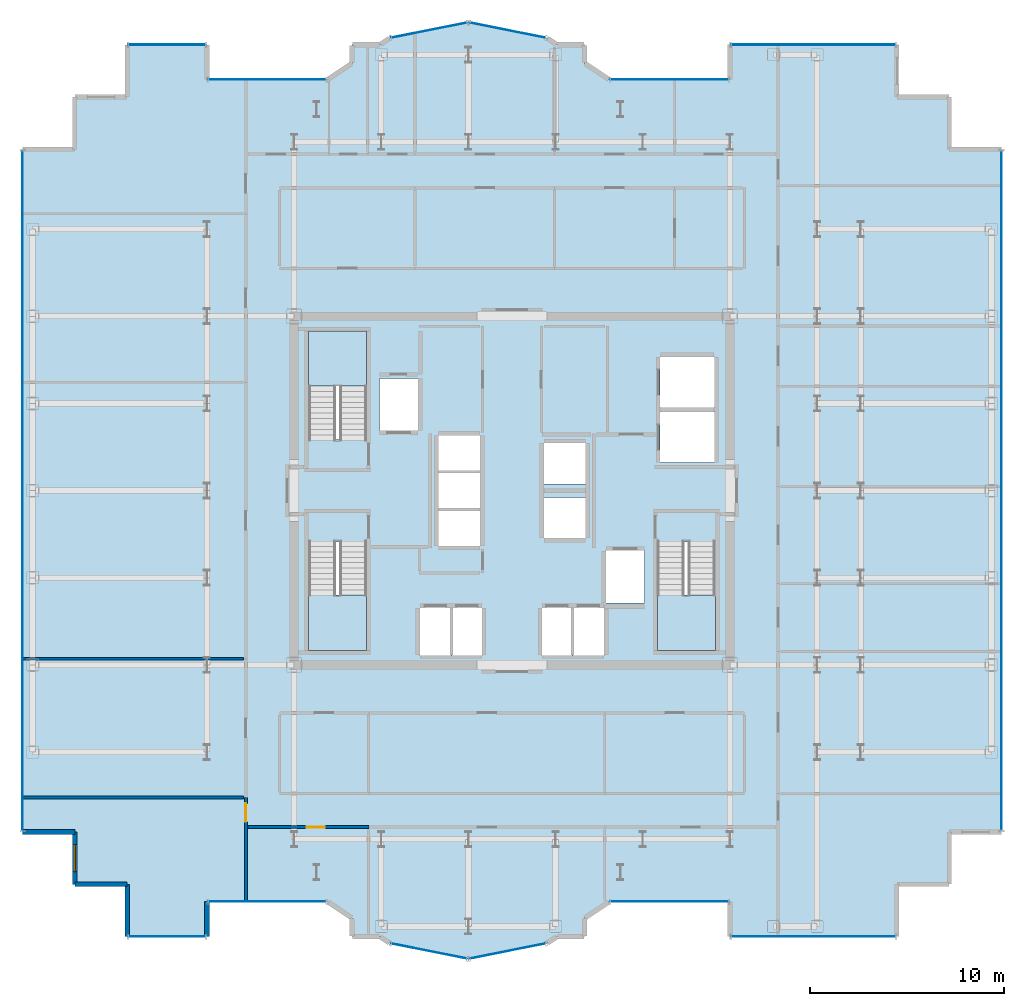
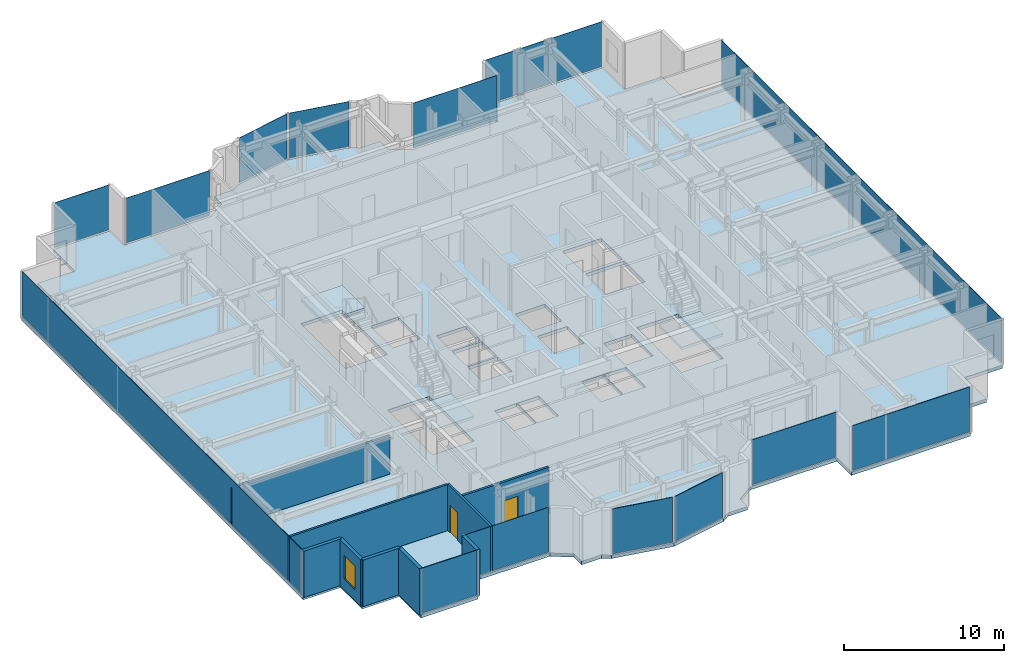
# One storey, part 13 of 20: 14 plates, 9 walls, 4 slabs, 2 doors, 1 window, 3 openings, 17 elements without a shape of their own.
"""IFC4 building model written with IfcOpenShell, lengths in metres."""

from ifc_helpers import new_model, si_unit, direction, frame, frame_2d, origin, origin_2d, place, context, subcontext, project, spatial, polyline, rectangle, outline, extrude, source, transform, mapped, material, layer, layer_set, type_object, element, fill, aggregate, save


model = new_model("IFC4")

# Units and contexts
model_context = context("Model", 3, precision=1e-05, world=origin(), true_north=direction((0.0, 1.0)))
body_context = subcontext(model_context, "Body", "Model", "MODEL_VIEW")
ifc_project = project(units=[si_unit("LENGTHUNIT", "METRE"), si_unit("AREAUNIT", "SQUARE_METRE"), si_unit("VOLUMEUNIT", "CUBIC_METRE"), si_unit("PLANEANGLEUNIT", "RADIAN"), si_unit("MASSUNIT", "GRAM", prefix="KILO")], contexts=[model_context])

# Site, building, storey
site_placement = place(None, origin())
site = spatial("IfcSite", under=ifc_project, at=site_placement, CompositionType="ELEMENT")
building_placement = place(site_placement, origin())
building = spatial("IfcBuilding", under=site, at=building_placement, Name="Nefas-Gora Pilgrimage Tower", CompositionType="ELEMENT")
storey_placement = place(building_placement, frame((0.0, 0.0, 244.60009765625)))
storey = spatial("IfcBuildingStorey", under=building, at=storey_placement, Name="L61", CompositionType="ELEMENT", Elevation=244.60009765625)

# Slab
ifc_material_1 = material(Name="Concrete C40/50", Category="concrete")
ifc_layer_1 = layer(ifc_material_1, 0.25)
ifc_layer_set_1 = layer_set([ifc_layer_1], Name="Concrete C40/50")
slab_type_1 = type_object("IfcSlabType", Name="SLB-TWR-260", PredefinedType="FLOOR", material=ifc_layer_set_1)
slab_1_placement = place(storey_placement, frame((0.0, 0.0, -0.25)))
element("IfcSlab", 1, at=slab_1_placement, inside=storey, type_object=slab_type_1, Name="L61 Structural Floor Slab", PredefinedType="FLOOR", context=body_context, shape_type="SweptSolid", body=[
    extrude(outline(polyline([(5.01806640625, -21.219970703125), (11.25, -21.219970703125), (11.25, -23.02001953125), (19.8701171875, -23.02001953125), (19.8701171875, -20.320068359375), (22.570068359375, -20.320068359375), (22.570068359375, -17.6201171875), (25.27001953125, -17.6201171875), (25.27001953125, 17.6201171875), (22.570068359375, 17.6201171875), (22.570068359375, 20.320068359375), (19.8701171875, 20.320068359375), (19.8701171875, 23.02001953125), (11.25, 23.02001953125), (11.25, 21.219970703125), (5.01806640625, 21.219970703125), (3.75, 22.0673828125), (3.75, 23.02001953125), (2.32421875, 23.02001953125), (1.807373046875, 23.365234375), (-2.25, 24.17236328125), (-6.307373046875, 23.365234375), (-6.82421875, 23.02001953125), (-8.25, 23.02001953125), (-8.25, 22.0673828125), (-9.51806640625, 21.219970703125), (-15.75, 21.219970703125), (-15.75, 23.02001953125), (-19.8701171875, 23.02001953125), (-19.8701171875, 20.320068359375), (-22.570068359375, 20.320068359375), (-22.570068359375, 17.6201171875), (-25.27001953125, 17.6201171875), (-25.27001953125, -17.6201171875), (-22.570068359375, -17.6201171875), (-22.570068359375, -20.320068359375), (-19.8701171875, -20.320068359375), (-19.8701171875, -23.02001953125), (-15.75, -23.02001953125), (-15.75, -21.219970703125), (-9.51806640625, -21.219970703125), (-8.25, -22.0673828125), (-8.25, -23.02001953125), (-6.82421875, -23.02001953125), (-6.307373046875, -23.365234375), (-2.25, -24.17236328125), (1.807373046875, -23.365234375), (2.32421875, -23.02001953125), (3.75, -23.02001953125), (3.75, -22.0673828125), (5.01806640625, -21.219970703125)]), holes=[polyline([(-10.5, 2.639892578125), (-10.5, 8.25), (-7.5, 8.25), (-7.5, 2.639892578125), (-10.5, 2.639892578125)]), polyline([(10.5, -2.639892578125), (10.5, -8.25), (7.5, -8.25), (7.5, -2.639892578125), (10.5, -2.639892578125)]), polyline([(-7.5, -2.639892578125), (-7.5, -8.25), (-10.5, -8.25), (-10.5, -2.639892578125), (-7.5, -2.639892578125)]), polyline([(-6.85009765625, 5.800048828125), (-4.85009765625, 5.800048828125), (-4.85009765625, 3.10009765625), (-6.85009765625, 3.10009765625), (-6.85009765625, 5.800048828125)]), polyline([(4.85009765625, -3.10009765625), (6.85009765625, -3.10009765625), (6.85009765625, -5.800048828125), (4.85009765625, -5.800048828125), (4.85009765625, -3.10009765625)]), polyline([(7.64990234375, 4.050048828125), (10.449951171875, 4.050048828125), (10.449951171875, 1.449951171875), (7.64990234375, 1.449951171875), (7.64990234375, 4.050048828125)]), polyline([(7.64990234375, 6.89990234375), (10.449951171875, 6.89990234375), (10.449951171875, 4.300048828125), (7.64990234375, 4.300048828125), (7.64990234375, 6.89990234375)]), polyline([(-4.75, -6.050048828125), (-3.14990234375, -6.050048828125), (-3.14990234375, -8.5), (-4.75, -8.5), (-4.75, -6.050048828125)]), polyline([(-3.10009765625, -6.050048828125), (-1.550048828125, -6.050048828125), (-1.550048828125, -8.5), (-3.10009765625, -8.5), (-3.10009765625, -6.050048828125)]), polyline([(1.550048828125, -6.050048828125), (3.10009765625, -6.050048828125), (3.10009765625, -8.5), (1.550048828125, -8.5), (1.550048828125, -6.050048828125)]), polyline([(3.14990234375, -6.050048828125), (4.75, -6.050048828125), (4.75, -8.5), (3.14990234375, -8.5), (3.14990234375, -6.050048828125)]), polyline([(-3.800048828125, -1.050048828125), (-1.64990234375, -1.050048828125), (-1.64990234375, -2.85009765625), (-3.800048828125, -2.85009765625), (-3.800048828125, -1.050048828125)]), polyline([(-3.800048828125, 0.89990234375), (-1.64990234375, 0.89990234375), (-1.64990234375, -0.89990234375), (-3.800048828125, -0.89990234375), (-3.800048828125, 0.89990234375)]), polyline([(-3.800048828125, 2.85009765625), (-1.64990234375, 2.85009765625), (-1.64990234375, 1.050048828125), (-3.800048828125, 1.050048828125), (-3.800048828125, 2.85009765625)]), polyline([(1.64990234375, -0.35009765625), (3.800048828125, -0.35009765625), (3.800048828125, -2.449951171875), (1.64990234375, -2.449951171875), (1.64990234375, -0.35009765625)]), polyline([(1.64990234375, 2.449951171875), (3.800048828125, 2.449951171875), (3.800048828125, 0.35009765625), (1.64990234375, 0.35009765625), (1.64990234375, 2.449951171875)])]), origin(), (0.0, 0.0, 1.0), 0.25),
])

# Stair, slab
ifc_material_2 = material(Name="Concrete C45/55", Category="concrete")
stair_type = type_object("IfcStairType", Name="STR-1400-R1727", PredefinedType="HALF_TURN_STAIR", material=ifc_material_2)
stair_1_placement = place(storey_placement, origin())
stair_1 = element("IfcStair", 2, at=stair_1_placement, inside=storey, type_object=stair_type, Name="L61 Pressurised Tower Exit Stair ST-01", PredefinedType="HALF_TURN_STAIR")
ifc_layer_2 = layer(ifc_material_1, 0.199951171875)
ifc_layer_set_2 = layer_set([ifc_layer_2], Name="Concrete C40/50")
slab_type_2 = type_object("IfcSlabType", Name="STR-LAND-200", PredefinedType="LANDING", material=ifc_layer_set_2)
slab_2_placement = place(storey_placement, frame((0.0, 0.0, 1.699951171875)))
slab_2 = element("IfcSlab", 3, at=slab_2_placement, type_object=slab_type_2, Name="ST-01 landing 1", PredefinedType="LANDING", context=body_context, shape_type="SweptSolid", body=[
    extrude(outline(polyline([(-7.5, 5.39990234375), (-7.5, 8.25), (-10.5, 8.25), (-10.5, 5.39990234375), (-7.5, 5.39990234375)])), origin(), (0.0, 0.0, 1.0), 0.199951171875),
])
aggregate(stair_1, [slab_2])

stair_2_placement = place(storey_placement, origin())
stair_2 = element("IfcStair", 4, at=stair_2_placement, inside=storey, type_object=stair_type, Name="L61 Pressurised Tower Exit Stair ST-02", PredefinedType="HALF_TURN_STAIR")
slab_3_placement = place(storey_placement, frame((0.0, 0.0, 1.699951171875)))
slab_3 = element("IfcSlab", 5, at=slab_3_placement, type_object=slab_type_2, Name="ST-02 landing 1", PredefinedType="LANDING", context=body_context, shape_type="SweptSolid", body=[
    extrude(outline(polyline([(7.5, -5.39990234375), (7.5, -8.25), (10.5, -8.25), (10.5, -5.39990234375), (7.5, -5.39990234375)])), origin(), (0.0, 0.0, 1.0), 0.199951171875),
])
aggregate(stair_2, [slab_3])

stair_3_placement = place(storey_placement, origin())
stair_3 = element("IfcStair", 6, at=stair_3_placement, inside=storey, type_object=stair_type, Name="L61 Pressurised Tower Exit Stair ST-03", PredefinedType="HALF_TURN_STAIR")
slab_4_placement = place(storey_placement, frame((0.0, 0.0, 1.699951171875)))
slab_4 = element("IfcSlab", 7, at=slab_4_placement, type_object=slab_type_2, Name="ST-03 landing 1", PredefinedType="LANDING", context=body_context, shape_type="SweptSolid", body=[
    extrude(outline(polyline([(-10.5, -5.39990234375), (-10.5, -8.25), (-7.5, -8.25), (-7.5, -5.39990234375), (-10.5, -5.39990234375)])), origin(), (0.0, 0.0, 1.0), 0.199951171875),
])
aggregate(stair_3, [slab_4])

# Curtain wall, plate
ifc_material_3 = material(Name="Dark ceramic-fritted solar-control aluminium-glass curtain wall", Category="aluminium")
ifc_layer_3 = layer(ifc_material_3, 0.219970703125)
ifc_layer_set_3 = layer_set([ifc_layer_3], Name="Dark ceramic-fritted solar-control aluminium-glass curtain wall")
curtain_wall_type_1 = type_object("IfcCurtainWallType", Name="CW-SYS-5", PredefinedType="NOTDEFINED", material=ifc_layer_set_3)
curtain_wall_1_placement = place(storey_placement, origin())
curtain_wall_1 = element("IfcCurtainWall", 8, at=curtain_wall_1_placement, inside=storey, type_object=curtain_wall_type_1, Name="L61 Unitised Curtain Wall CW5", PredefinedType="NOTDEFINED")
ifc_material_4 = material(Name="Dark ceramic-printed low-e insulated glass", Category="glass")
ifc_layer_4 = layer(ifc_material_4, 0.028076171875)
ifc_layer_set_4 = layer_set([ifc_layer_4], Name="Dark ceramic-printed low-e insulated glass")
plate_type_1 = type_object("IfcPlateType", Name="CWP-PNL-5", PredefinedType="CURTAIN_PANEL", material=ifc_layer_set_4)
shared_shape_1 = source(origin(), body_context, "Body", "SweptSolid", [
    extrude(rectangle(XDim=6.052001953125, YDim=0.028076171875, at=origin_2d()), origin(), (0.0, 0.0, 1.0), 3.43994140625),
])
plate_1_placement = place(storey_placement, frame((8.134033203125, -21.219970703125, 0.099853515625), z_axis=(0.0, 0.0, 1.0), x_axis=(1.0, 0.0, 0.0)))
plate_1 = element("IfcPlate", 9, at=plate_1_placement, type_object=plate_type_1, Name="CW5 Ceramic-Fritted Glazing Panel 1", PredefinedType="CURTAIN_PANEL", context=body_context, shape_type="MappedRepresentation", body=[
    mapped(shared_shape_1, transform((0.0, 0.0, 0.0), x_axis=(1.0, 0.0, 0.0), y_axis=(0.0, 1.0, 0.0), z_axis=(0.0, 0.0, 1.0), scale=1.0)),
])
aggregate(curtain_wall_1, [plate_1])

curtain_wall_2_placement = place(storey_placement, origin())
curtain_wall_2 = element("IfcCurtainWall", 10, at=curtain_wall_2_placement, inside=storey, type_object=curtain_wall_type_1, Name="L61 Unitised Curtain Wall CW5", PredefinedType="NOTDEFINED")
plate_2_placement = place(storey_placement, frame((8.134033203125, 21.219970703125, 0.099853515625), z_axis=(0.0, 0.0, 1.0), x_axis=(-1.0, 0.0, 0.0)))
plate_2 = element("IfcPlate", 11, at=plate_2_placement, type_object=plate_type_1, Name="CW5 Ceramic-Fritted Glazing Panel 1", PredefinedType="CURTAIN_PANEL", context=body_context, shape_type="MappedRepresentation", body=[
    mapped(shared_shape_1, transform((0.0, 0.0, 0.0), x_axis=(1.0, 0.0, 0.0), y_axis=(0.0, 1.0, 0.0), z_axis=(0.0, 0.0, 1.0), scale=1.0)),
])
aggregate(curtain_wall_2, [plate_2])

curtain_wall_3_placement = place(storey_placement, origin())
curtain_wall_3 = element("IfcCurtainWall", 12, at=curtain_wall_3_placement, inside=storey, type_object=curtain_wall_type_1, Name="L61 Unitised Curtain Wall CW5", PredefinedType="NOTDEFINED")
plate_3_placement = place(storey_placement, frame((-12.634033203125, 21.219970703125, 0.099853515625), z_axis=(0.0, 0.0, 1.0), x_axis=(-1.0, 0.0, 0.0)))
plate_3 = element("IfcPlate", 13, at=plate_3_placement, type_object=plate_type_1, Name="CW5 Ceramic-Fritted Glazing Panel 1", PredefinedType="CURTAIN_PANEL", context=body_context, shape_type="MappedRepresentation", body=[
    mapped(shared_shape_1, transform((0.0, 0.0, 0.0), x_axis=(1.0, 0.0, 0.0), y_axis=(0.0, 1.0, 0.0), z_axis=(0.0, 0.0, 1.0), scale=1.0)),
])
aggregate(curtain_wall_3, [plate_3])

curtain_wall_4_placement = place(storey_placement, origin())
curtain_wall_4 = element("IfcCurtainWall", 14, at=curtain_wall_4_placement, inside=storey, type_object=curtain_wall_type_1, Name="L61 Unitised Curtain Wall CW5", PredefinedType="NOTDEFINED")
plate_4_placement = place(storey_placement, frame((-12.634033203125, -21.219970703125, 0.099853515625), z_axis=(0.0, 0.0, 1.0), x_axis=(1.0, 0.0, 0.0)))
plate_4 = element("IfcPlate", 15, at=plate_4_placement, type_object=plate_type_1, Name="CW5 Ceramic-Fritted Glazing Panel 1", PredefinedType="CURTAIN_PANEL", context=body_context, shape_type="MappedRepresentation", body=[
    mapped(shared_shape_1, transform((0.0, 0.0, 0.0), x_axis=(1.0, 0.0, 0.0), y_axis=(0.0, 1.0, 0.0), z_axis=(0.0, 0.0, 1.0), scale=1.0)),
])
aggregate(curtain_wall_4, [plate_4])

curtain_wall_5_placement = place(storey_placement, origin())
curtain_wall_5 = element("IfcCurtainWall", 16, at=curtain_wall_5_placement, inside=storey, type_object=curtain_wall_type_1, Name="L61 Unitised Curtain Wall CW5", PredefinedType="NOTDEFINED")
shared_shape_2 = source(origin(), body_context, "Body", "SweptSolid", [
    extrude(rectangle(XDim=3.956787109375, YDim=0.028076171875, at=origin_2d()), origin(), (0.0, 0.0, 1.0), 3.43994140625),
])
plate_5_placement = place(storey_placement, frame((-0.22119140625, 23.768798828125, 0.099853515625), z_axis=(0.0, 0.0, 1.0), x_axis=(-0.980782896852, 0.195102304554, 0.0)))
plate_5 = element("IfcPlate", 17, at=plate_5_placement, type_object=plate_type_1, Name="CW5 Ceramic-Fritted Glazing Panel 1", PredefinedType="CURTAIN_PANEL", context=body_context, shape_type="MappedRepresentation", body=[
    mapped(shared_shape_2, transform((0.0, 0.0, 0.0), x_axis=(1.0, 0.0, 0.0), y_axis=(0.0, 1.0, 0.0), z_axis=(0.0, 0.0, 1.0), scale=1.0)),
])
aggregate(curtain_wall_5, [plate_5])

curtain_wall_6_placement = place(storey_placement, origin())
curtain_wall_6 = element("IfcCurtainWall", 18, at=curtain_wall_6_placement, inside=storey, type_object=curtain_wall_type_1, Name="L61 Unitised Curtain Wall CW5", PredefinedType="NOTDEFINED")
plate_6_placement = place(storey_placement, frame((-4.278564453125, 23.768798828125, 0.099853515625), z_axis=(0.0, 0.0, 1.0), x_axis=(-0.980782896852, -0.195102304554, 0.0)))
plate_6 = element("IfcPlate", 19, at=plate_6_placement, type_object=plate_type_1, Name="CW5 Ceramic-Fritted Glazing Panel 1", PredefinedType="CURTAIN_PANEL", context=body_context, shape_type="MappedRepresentation", body=[
    mapped(shared_shape_2, transform((0.0, 0.0, 0.0), x_axis=(1.0, 0.0, 0.0), y_axis=(0.0, 1.0, 0.0), z_axis=(0.0, 0.0, 1.0), scale=1.0)),
])
aggregate(curtain_wall_6, [plate_6])

curtain_wall_7_placement = place(storey_placement, origin())
curtain_wall_7 = element("IfcCurtainWall", 20, at=curtain_wall_7_placement, inside=storey, type_object=curtain_wall_type_1, Name="L61 Unitised Curtain Wall CW5", PredefinedType="NOTDEFINED")
plate_7_placement = place(storey_placement, frame((-4.278564453125, -23.768798828125, 0.099853515625), z_axis=(0.0, 0.0, 1.0), x_axis=(0.980782896852, -0.195102304554, 0.0)))
plate_7 = element("IfcPlate", 21, at=plate_7_placement, type_object=plate_type_1, Name="CW5 Ceramic-Fritted Glazing Panel 1", PredefinedType="CURTAIN_PANEL", context=body_context, shape_type="MappedRepresentation", body=[
    mapped(shared_shape_2, transform((0.0, 0.0, 0.0), x_axis=(1.0, 0.0, 0.0), y_axis=(0.0, 1.0, 0.0), z_axis=(0.0, 0.0, 1.0), scale=1.0)),
])
aggregate(curtain_wall_7, [plate_7])

curtain_wall_8_placement = place(storey_placement, origin())
curtain_wall_8 = element("IfcCurtainWall", 22, at=curtain_wall_8_placement, inside=storey, type_object=curtain_wall_type_1, Name="L61 Unitised Curtain Wall CW5", PredefinedType="NOTDEFINED")
plate_8_placement = place(storey_placement, frame((-0.221435546875, -23.768798828125, 0.099853515625), z_axis=(0.0, 0.0, 1.0), x_axis=(0.980782896852, 0.195102304554, 0.0)))
plate_8 = element("IfcPlate", 23, at=plate_8_placement, type_object=plate_type_1, Name="CW5 Ceramic-Fritted Glazing Panel 1", PredefinedType="CURTAIN_PANEL", context=body_context, shape_type="MappedRepresentation", body=[
    mapped(shared_shape_2, transform((0.0, 0.0, 0.0), x_axis=(1.0, 0.0, 0.0), y_axis=(0.0, 1.0, 0.0), z_axis=(0.0, 0.0, 1.0), scale=1.0)),
])
aggregate(curtain_wall_8, [plate_8])

ifc_layer_5 = layer(ifc_material_3, 0.219970703125)
ifc_layer_set_5 = layer_set([ifc_layer_5], Name="Dark ceramic-fritted solar-control aluminium-glass curtain wall")
curtain_wall_type_2 = type_object("IfcCurtainWallType", Name="CW-SYS-3", PredefinedType="NOTDEFINED", material=ifc_layer_set_5)
curtain_wall_9_placement = place(storey_placement, origin())
curtain_wall_9 = element("IfcCurtainWall", 24, at=curtain_wall_9_placement, inside=storey, type_object=curtain_wall_type_2, Name="L61 Unitised Curtain Wall CW3", PredefinedType="NOTDEFINED")
ifc_layer_6 = layer(ifc_material_4, 0.033935546875)
ifc_layer_set_6 = layer_set([ifc_layer_6], Name="Dark ceramic-printed low-e insulated glass")
plate_type_2 = type_object("IfcPlateType", Name="CWP-PNL-3", PredefinedType="CURTAIN_PANEL", material=ifc_layer_set_6)
shared_shape_3 = source(origin(), body_context, "Body", "SweptSolid", [
    extrude(rectangle(XDim=8.43994140625, YDim=0.033935546875, at=origin_2d()), origin(), (0.0, 0.0, 1.0), 3.43994140625),
])
plate_9_placement = place(storey_placement, frame((15.56005859375, -23.02001953125, 0.099853515625), z_axis=(0.0, 0.0, 1.0), x_axis=(1.0, 0.0, 0.0)))
plate_9 = element("IfcPlate", 25, at=plate_9_placement, type_object=plate_type_2, Name="CW3 Ceramic-Fritted Glazing Panel 1", PredefinedType="CURTAIN_PANEL", context=body_context, shape_type="MappedRepresentation", body=[
    mapped(shared_shape_3, transform((0.0, 0.0, 0.0), x_axis=(1.0, 0.0, 0.0), y_axis=(0.0, 1.0, 0.0), z_axis=(0.0, 0.0, 1.0), scale=1.0)),
])
aggregate(curtain_wall_9, [plate_9])

curtain_wall_10_placement = place(storey_placement, origin())
curtain_wall_10 = element("IfcCurtainWall", 26, at=curtain_wall_10_placement, inside=storey, type_object=curtain_wall_type_2, Name="L61 Unitised Curtain Wall CW3", PredefinedType="NOTDEFINED")
plate_10_placement = place(storey_placement, frame((15.56005859375, 23.02001953125, 0.099853515625), z_axis=(0.0, 0.0, 1.0), x_axis=(-1.0, 0.0, 0.0)))
plate_10 = element("IfcPlate", 27, at=plate_10_placement, type_object=plate_type_2, Name="CW3 Ceramic-Fritted Glazing Panel 1", PredefinedType="CURTAIN_PANEL", context=body_context, shape_type="MappedRepresentation", body=[
    mapped(shared_shape_3, transform((0.0, 0.0, 0.0), x_axis=(1.0, 0.0, 0.0), y_axis=(0.0, 1.0, 0.0), z_axis=(0.0, 0.0, 1.0), scale=1.0)),
])
aggregate(curtain_wall_10, [plate_10])

curtain_wall_11_placement = place(storey_placement, origin())
curtain_wall_11 = element("IfcCurtainWall", 28, at=curtain_wall_11_placement, inside=storey, type_object=curtain_wall_type_2, Name="L61 Unitised Curtain Wall CW3", PredefinedType="NOTDEFINED")
shared_shape_4 = source(origin(), body_context, "Body", "SweptSolid", [
    extrude(rectangle(XDim=35.06005859375, YDim=0.033935546875, at=origin_2d()), origin(), (0.0, 0.0, 1.0), 3.43994140625),
])
plate_11_placement = place(storey_placement, frame((25.27001953125, 0.0, 0.099853515625), z_axis=(0.0, 0.0, 1.0), x_axis=(0.0, 1.0, 0.0)))
plate_11 = element("IfcPlate", 29, at=plate_11_placement, type_object=plate_type_2, Name="CW3 Ceramic-Fritted Glazing Panel 1", PredefinedType="CURTAIN_PANEL", context=body_context, shape_type="MappedRepresentation", body=[
    mapped(shared_shape_4, transform((0.0, 0.0, 0.0), x_axis=(1.0, 0.0, 0.0), y_axis=(0.0, 1.0, 0.0), z_axis=(0.0, 0.0, 1.0), scale=1.0)),
])
aggregate(curtain_wall_11, [plate_11])

curtain_wall_12_placement = place(storey_placement, origin())
curtain_wall_12 = element("IfcCurtainWall", 30, at=curtain_wall_12_placement, inside=storey, type_object=curtain_wall_type_2, Name="L61 Unitised Curtain Wall CW3", PredefinedType="NOTDEFINED")
plate_12_placement = place(storey_placement, frame((-25.27001953125, 0.0, 0.099853515625), z_axis=(0.0, 0.0, 1.0), x_axis=(0.0, -1.0, 0.0)))
plate_12 = element("IfcPlate", 31, at=plate_12_placement, type_object=plate_type_2, Name="CW3 Ceramic-Fritted Glazing Panel 1", PredefinedType="CURTAIN_PANEL", context=body_context, shape_type="MappedRepresentation", body=[
    mapped(shared_shape_4, transform((0.0, 0.0, 0.0), x_axis=(1.0, 0.0, 0.0), y_axis=(0.0, 1.0, 0.0), z_axis=(0.0, 0.0, 1.0), scale=1.0)),
])
aggregate(curtain_wall_12, [plate_12])

curtain_wall_13_placement = place(storey_placement, origin())
curtain_wall_13 = element("IfcCurtainWall", 32, at=curtain_wall_13_placement, inside=storey, type_object=curtain_wall_type_2, Name="L61 Unitised Curtain Wall CW3", PredefinedType="NOTDEFINED")
shared_shape_5 = source(origin(), body_context, "Body", "SweptSolid", [
    extrude(rectangle(XDim=3.93994140625, YDim=0.033935546875, at=origin_2d()), origin(), (0.0, 0.0, 1.0), 3.43994140625),
])
plate_13_placement = place(storey_placement, frame((-17.81005859375, 23.02001953125, 0.099853515625), z_axis=(0.0, 0.0, 1.0), x_axis=(-1.0, 0.0, 0.0)))
plate_13 = element("IfcPlate", 33, at=plate_13_placement, type_object=plate_type_2, Name="CW3 Ceramic-Fritted Glazing Panel 1", PredefinedType="CURTAIN_PANEL", context=body_context, shape_type="MappedRepresentation", body=[
    mapped(shared_shape_5, transform((0.0, 0.0, 0.0), x_axis=(1.0, 0.0, 0.0), y_axis=(0.0, 1.0, 0.0), z_axis=(0.0, 0.0, 1.0), scale=1.0)),
])
aggregate(curtain_wall_13, [plate_13])

curtain_wall_14_placement = place(storey_placement, origin())
curtain_wall_14 = element("IfcCurtainWall", 34, at=curtain_wall_14_placement, inside=storey, type_object=curtain_wall_type_2, Name="L61 Unitised Curtain Wall CW3", PredefinedType="NOTDEFINED")
plate_14_placement = place(storey_placement, frame((-17.81005859375, -23.02001953125, 0.099853515625), z_axis=(0.0, 0.0, 1.0), x_axis=(1.0, 0.0, 0.0)))
plate_14 = element("IfcPlate", 35, at=plate_14_placement, type_object=plate_type_2, Name="CW3 Ceramic-Fritted Glazing Panel 1", PredefinedType="CURTAIN_PANEL", context=body_context, shape_type="MappedRepresentation", body=[
    mapped(shared_shape_5, transform((0.0, 0.0, 0.0), x_axis=(1.0, 0.0, 0.0), y_axis=(0.0, 1.0, 0.0), z_axis=(0.0, 0.0, 1.0), scale=1.0)),
])
aggregate(curtain_wall_14, [plate_14])

# Walls
ifc_material_5 = material(Name="Precast concrete C40/50", Category="concrete")
ifc_layer_7 = layer(ifc_material_5, 0.260009765625)
ifc_layer_set_7 = layer_set([ifc_layer_7], Name="Precast concrete C40/50")
wall_type_1 = type_object("IfcWallType", Name="EW-PORTAL-260", PredefinedType="SOLIDWALL", material=ifc_layer_set_7)
shared_shape_6 = source(origin(), body_context, "Body", "SweptSolid", [
    extrude(rectangle(XDim=1.800048828125, YDim=0.260009765625, at=frame_2d((0.89990234375, 0.0))), origin(), (0.0, 0.0, 1.0), 3.5498046875),
])
wall_1_placement = place(storey_placement, frame((-15.75, -23.02001953125, 0.0), z_axis=(0.0, 0.0, 1.0), x_axis=(0.0, 1.0, 0.0)))
element("IfcWall", 36, at=wall_1_placement, inside=storey, type_object=wall_type_1, Name="L61 Lobe Shoulder Precast Spandrel Pier 28", PredefinedType="SOLIDWALL", context=body_context, shape_type="MappedRepresentation", body=[
    mapped(shared_shape_6, transform((0.0, 0.0, 0.0), x_axis=(1.0, 0.0, 0.0), y_axis=(0.0, 1.0, 0.0), z_axis=(0.0, 0.0, 1.0), scale=1.0)),
])
ifc_material_6 = material(Name="Precast concrete C45/55", Category="concrete")
ifc_layer_8 = layer(ifc_material_6, 0.239990234375)
ifc_layer_set_8 = layer_set([ifc_layer_8], Name="Precast concrete C45/55")
wall_type_2 = type_object("IfcWallType", Name="EW-SERR-240", PredefinedType="SHEAR", material=ifc_layer_set_8)
shared_shape_7 = source(origin(), body_context, "Body", "SweptSolid", [
    extrude(rectangle(XDim=2.699951171875, YDim=0.239990234375, at=frame_2d((1.35009765625, 0.0))), origin(), (0.0, 0.0, 1.0), 3.5498046875),
])
wall_2_placement = place(storey_placement, frame((-25.27001953125, -17.6201171875, 0.0), z_axis=(0.0, 0.0, 1.0), x_axis=(1.0, 0.0, 0.0)))
element("IfcWall", 37, at=wall_2_placement, inside=storey, type_object=wall_type_2, Name="L61 Serrated Corner Shear Pier Wall 24", PredefinedType="SHEAR", context=body_context, shape_type="MappedRepresentation", body=[
    mapped(shared_shape_7, transform((0.0, 0.0, 0.0), x_axis=(1.0, 0.0, 0.0), y_axis=(0.0, 1.0, 0.0), z_axis=(0.0, 0.0, 1.0), scale=1.0)),
])

# Wall, opening, window
wall_3_placement = place(storey_placement, frame((-22.570068359375, -17.6201171875, 0.0), z_axis=(0.0, 0.0, 1.0), x_axis=(0.0, -1.0, 0.0)))
wall_3 = element("IfcWall", 38, at=wall_3_placement, inside=storey, type_object=wall_type_2, Name="L61 Serrated Corner Shear Pier Wall 25", PredefinedType="SHEAR", context=body_context, shape_type="MappedRepresentation", body=[
    mapped(shared_shape_7, transform((0.0, 0.0, 0.0), x_axis=(1.0, 0.0, 0.0), y_axis=(0.0, 1.0, 0.0), z_axis=(0.0, 0.0, 1.0), scale=1.0)),
])
opening_1_placement = place(wall_3_placement, frame((0.64990234375, 0.0, 0.85009765625)))
opening_1 = element("IfcOpeningElement", 39, at=opening_1_placement, cuts=wall_3, Name="Opening W-V2", PredefinedType="OPENING", context=body_context, shape_type="SweptSolid", body=[
    extrude(rectangle(XDim=1.39990234375, YDim=1.800048828125, at=frame_2d((0.699951171875, 0.89990234375))), frame((0.0, 0.1298828125, 0.0), z_axis=(0.0, -1.0, 0.0), x_axis=(1.0, 0.0, 0.0)), (0.0, 0.0, 1.0), 0.260009765625),
])
ifc_material_7 = material(Name="Dark ceramic-fritted operable aluminium-glass window", Category="aluminium")
window_type = type_object("IfcWindowType", Name="WIN-VENT-1400x1800", PartitioningType="SINGLE_PANEL", PredefinedType="WINDOW", material=ifc_material_7)
shared_shape_8 = source(origin(), body_context, "Body", "SweptSolid", [
    extrude(rectangle(XDim=1.39990234375, YDim=1.800048828125, at=frame_2d((0.699951171875, 0.89990234375))), frame((0.0, 0.030029296875, 0.0), z_axis=(0.0, -1.0, 0.0), x_axis=(1.0, 0.0, 0.0)), (0.0, 0.0, 1.0), 0.06005859375),
])
window_placement = place(opening_1_placement, origin())
window = element("IfcWindow", 40, at=window_placement, inside=storey, type_object=window_type, Name="L61 Operable Parallel-Outswing Window 25", OverallHeight=1.800048828125, OverallWidth=1.39990234375, PartitioningType="SINGLE_PANEL", PredefinedType="WINDOW", context=body_context, shape_type="MappedRepresentation", body=[
    mapped(shared_shape_8, transform((0.0, 0.0, 0.0), x_axis=(1.0, 0.0, 0.0), y_axis=(0.0, 1.0, 0.0), z_axis=(0.0, 0.0, 1.0), scale=1.0)),
])
fill(opening_1, window)

# Walls
for number, where, z_axis, x_axis, name in (
    (41, (-22.570068359375, -20.320068359375, 0.0), (0.0, 0.0, 1.0), (1.0, 0.0, 0.0), "L61 Serrated Corner Shear Pier Wall 26"),
    (42, (-19.8701171875, -20.320068359375, 0.0), (0.0, 0.0, 1.0), (0.0, -1.0, 0.0), "L61 Serrated Corner Shear Pier Wall 27"),
):
    element("IfcWall", number, at=place(storey_placement, frame(where, z_axis=z_axis, x_axis=x_axis)), inside=storey, type_object=wall_type_2, Name=name, PredefinedType="SHEAR", context=body_context, shape_type="MappedRepresentation", body=[
        mapped(shared_shape_7, transform((0.0, 0.0, 0.0), x_axis=(1.0, 0.0, 0.0), y_axis=(0.0, 1.0, 0.0), z_axis=(0.0, 0.0, 1.0), scale=1.0)),
    ])

# Wall, opening, door
ifc_material_8 = material(Name="Gypsum acoustic stud partition")
ifc_layer_9 = layer(ifc_material_8, 0.159912109375)
ifc_layer_set_9 = layer_set([ifc_layer_9], Name="Gypsum acoustic stud partition")
wall_type_3 = type_object("IfcWallType", Name="IW-CORR-160", PredefinedType="PARTITIONING", material=ifc_layer_set_9)
shared_shape_9 = source(origin(), body_context, "Body", "SweptSolid", [
    extrude(rectangle(XDim=6.22509765625, YDim=0.159912109375, at=frame_2d((3.112548828125, 0.0))), origin(), (0.0, 0.0, 1.0), 3.534912109375),
])
wall_4_placement = place(storey_placement, frame((-13.6201171875, -17.3701171875, 0.0), z_axis=(0.0, 0.0, 1.0), x_axis=(1.0, 0.0, 0.0)))
wall_4 = element("IfcWall", 43, at=wall_4_placement, inside=storey, type_object=wall_type_3, Name="L61 Pilgrim Contemplative Lounge Partition Wall 73", PredefinedType="PARTITIONING", context=body_context, shape_type="MappedRepresentation", body=[
    mapped(shared_shape_9, transform((0.0, 0.0, 0.0), x_axis=(1.0, 0.0, 0.0), y_axis=(0.0, 1.0, 0.0), z_axis=(0.0, 0.0, 1.0), scale=1.0)),
])
opening_2_placement = place(wall_4_placement, frame((3.0146484375, 0.0, 0.0)))
opening_2 = element("IfcOpeningElement", 44, at=opening_2_placement, cuts=wall_4, Name="Opening ID-GR1", PredefinedType="OPENING", context=body_context, shape_type="SweptSolid", body=[
    extrude(rectangle(XDim=0.949951171875, YDim=2.10009765625, at=frame_2d((0.47509765625, 1.050048828125))), frame((0.0, 0.08984375, 0.0), z_axis=(0.0, -1.0, 0.0), x_axis=(1.0, 0.0, 0.0)), (0.0, 0.0, 1.0), 0.179931640625),
])
ifc_material_9 = material(Name="Solid core oak fire-rated guest entrance door")
door_type = type_object("IfcDoorType", Name="DR-INT-GUEST-950", OperationType="NOTDEFINED", PredefinedType="DOOR", material=ifc_material_9)
shared_shape_10 = source(origin(), body_context, "Body", "SweptSolid", [
    extrude(rectangle(XDim=0.949951171875, YDim=2.10009765625, at=frame_2d((0.47509765625, 1.050048828125))), frame((0.0, 0.02490234375, 0.0), z_axis=(0.0, -1.0, 0.0), x_axis=(1.0, 0.0, 0.0)), (0.0, 0.0, 1.0), 0.050048828125),
])
door_1_placement = place(opening_2_placement, origin())
door_1 = element("IfcDoor", 45, at=door_1_placement, inside=storey, type_object=door_type, Name="L61 Pilgrim Contemplative Lounge Door 33", OperationType="SINGLE_SWING_LEFT", OverallHeight=2.10009765625, OverallWidth=0.949951171875, PredefinedType="DOOR", context=body_context, shape_type="MappedRepresentation", body=[
    mapped(shared_shape_10, transform((0.0, 0.0, 0.0), x_axis=(1.0, 0.0, 0.0), y_axis=(0.0, 1.0, 0.0), z_axis=(0.0, 0.0, 1.0), scale=1.0)),
])
fill(opening_2, door_1)

# Walls
ifc_material_10 = material(Name="Gypsum twin-stud partition")
ifc_layer_10 = layer(ifc_material_10, 0.139892578125)
ifc_layer_set_10 = layer_set([ifc_layer_10], Name="Gypsum twin-stud partition")
wall_type_4 = type_object("IfcWallType", Name="IW-UNIT-140", PredefinedType="PARTITIONING", material=ifc_layer_set_10)
shared_shape_11 = source(origin(), body_context, "Body", "SweptSolid", [
    extrude(rectangle(XDim=11.429931640625, YDim=0.139892578125, at=frame_2d((5.71484375, 0.0))), origin(), (0.0, 0.0, 1.0), 3.534912109375),
])
wall_5_placement = place(storey_placement, frame((-25.2900390625, -15.84375, 0.0), z_axis=(0.0, 0.0, 1.0), x_axis=(1.0, 0.0, 0.0)))
element("IfcWall", 46, at=wall_5_placement, inside=storey, type_object=wall_type_4, Name="L61 Pilgrim Floor Concierge Foyer Partition Wall 32", PredefinedType="PARTITIONING", context=body_context, shape_type="MappedRepresentation", body=[
    mapped(shared_shape_11, transform((0.0, 0.0, 0.0), x_axis=(1.0, 0.0, 0.0), y_axis=(0.0, 1.0, 0.0), z_axis=(0.0, 0.0, 1.0), scale=1.0)),
])
shared_shape_12 = source(origin(), body_context, "Body", "SweptSolid", [
    extrude(rectangle(XDim=11.429931640625, YDim=0.139892578125, at=frame_2d((5.71484375, 0.0))), origin(), (0.0, 0.0, 1.0), 2.9248046875),
])
wall_6_placement = place(storey_placement, frame((-25.2900390625, -8.677490234375, 0.0), z_axis=(0.0, 0.0, 1.0), x_axis=(1.0, 0.0, 0.0)))
element("IfcWall", 47, at=wall_6_placement, inside=storey, type_object=wall_type_4, Name="L61 Pilgrim Floor Concierge Foyer Partition Wall 29", PredefinedType="PARTITIONING", context=body_context, shape_type="MappedRepresentation", body=[
    mapped(shared_shape_12, transform((0.0, 0.0, 0.0), x_axis=(1.0, 0.0, 0.0), y_axis=(0.0, 1.0, 0.0), z_axis=(0.0, 0.0, 1.0), scale=1.0)),
])

# Wall, opening, door
shared_shape_13 = source(origin(), body_context, "Body", "SweptSolid", [
    extrude(rectangle(XDim=5.40625, YDim=0.159912109375, at=frame_2d((2.703125, 0.0))), origin(), (0.0, 0.0, 1.0), 3.534912109375),
])
wall_7_placement = place(storey_placement, frame((-13.739990234375, -21.239990234375, 0.0), z_axis=(0.0, 0.0, 1.0), x_axis=(0.0, 1.0, 0.0)))
wall_7 = element("IfcWall", 48, at=wall_7_placement, inside=storey, type_object=wall_type_3, Name="L61 Pilgrim Floor Concierge Foyer Partition Wall 31", PredefinedType="PARTITIONING", context=body_context, shape_type="MappedRepresentation", body=[
    mapped(shared_shape_13, transform((0.0, 0.0, 0.0), x_axis=(1.0, 0.0, 0.0), y_axis=(0.0, 1.0, 0.0), z_axis=(0.0, 0.0, 1.0), scale=1.0)),
])
opening_3_placement = place(wall_7_placement, frame((4.14306640625, 0.0, 0.0)))
opening_3 = element("IfcOpeningElement", 49, at=opening_3_placement, cuts=wall_7, Name="Opening ID-GR1", PredefinedType="OPENING", context=body_context, shape_type="SweptSolid", body=[
    extrude(rectangle(XDim=0.949951171875, YDim=2.10009765625, at=frame_2d((0.47509765625, 1.050048828125))), frame((0.0, 0.08984375, 0.0), z_axis=(0.0, -1.0, 0.0), x_axis=(1.0, 0.0, 0.0)), (0.0, 0.0, 1.0), 0.179931640625),
])
door_2_placement = place(opening_3_placement, origin())
door_2 = element("IfcDoor", 50, at=door_2_placement, inside=storey, type_object=door_type, Name="L61 Pilgrim Floor Concierge Foyer Door 12", OperationType="SINGLE_SWING_RIGHT", OverallHeight=2.10009765625, OverallWidth=0.949951171875, PredefinedType="DOOR", context=body_context, shape_type="MappedRepresentation", body=[
    mapped(shared_shape_10, transform((0.0, 0.0, 0.0), x_axis=(1.0, 0.0, 0.0), y_axis=(0.0, 1.0, 0.0), z_axis=(0.0, 0.0, 1.0), scale=1.0)),
])
fill(opening_3, door_2)

save(model, "model.ifc")
